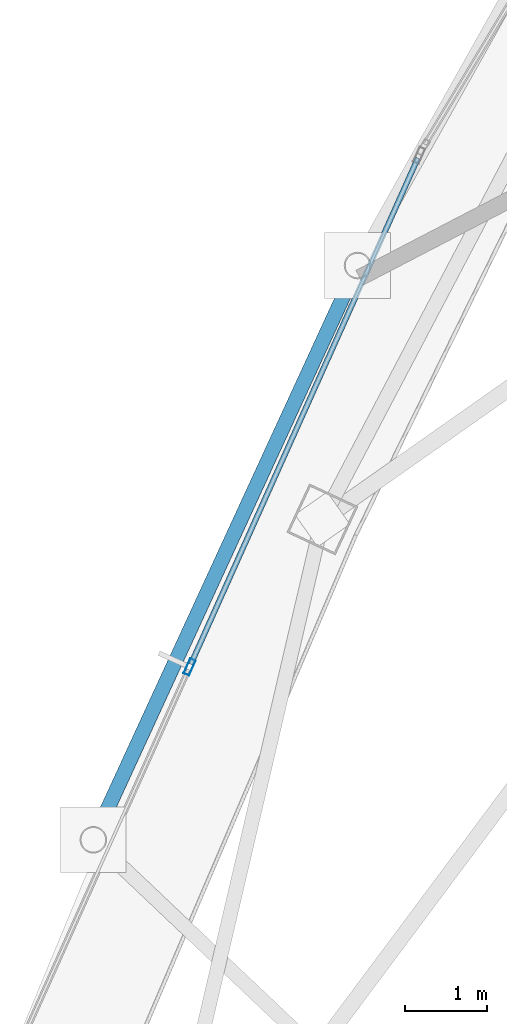
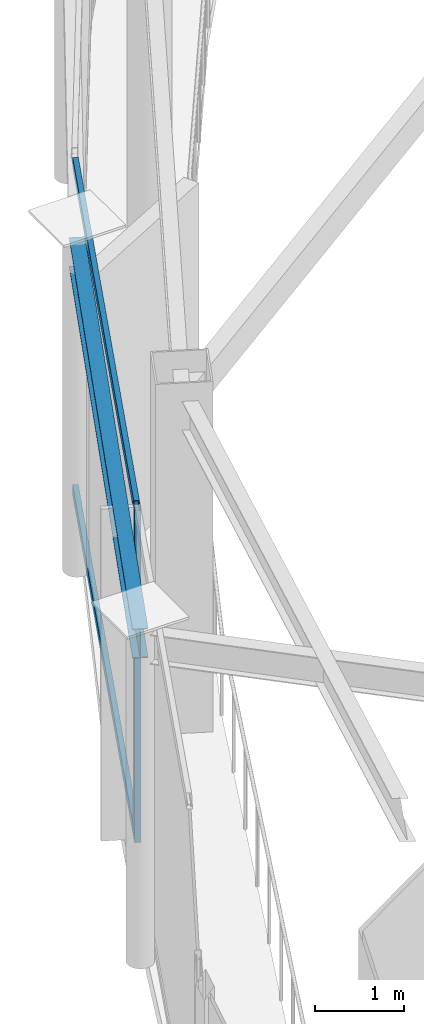
# One storey, part 4 of 20: 3 members, 1 beam, 1 element without a shape of its own.
"""IFC4 building model written with IfcOpenShell, lengths in metres."""

from ifc_helpers import new_model, si_unit, direction, frame, origin, origin_2d, place, context, subcontext, project, spatial, hollow_rectangle, i_section, extrude, material, layer, layer_set, material_profile, profile_set, type_object, element, aggregate, save


model = new_model("IFC4")

# Units and contexts
model_context = context("Model", 3, precision=1e-05, world=origin(), true_north=direction((0.0, 1.0)))
body_context = subcontext(model_context, "Body", "Model", "MODEL_VIEW")
ifc_project = project(units=[si_unit("LENGTHUNIT", "METRE"), si_unit("AREAUNIT", "SQUARE_METRE"), si_unit("VOLUMEUNIT", "CUBIC_METRE"), si_unit("PLANEANGLEUNIT", "RADIAN"), si_unit("MASSUNIT", "GRAM", prefix="KILO")], contexts=[model_context])

# Site, building, storey
site_placement = place(None, origin())
site = spatial("IfcSite", under=ifc_project, at=site_placement, CompositionType="ELEMENT")
building_placement = place(site_placement, origin())
building = spatial("IfcBuilding", under=site, at=building_placement, Name="Orvanel Arch Residences", CompositionType="ELEMENT")
storey_placement = place(building_placement, frame((0.0, 0.0, 300.5)))
storey = spatial("IfcBuildingStorey", under=building, at=storey_placement, Name="L84", CompositionType="ELEMENT", Elevation=300.5)

# Curtain wall, member
ifc_material_1 = material(Name="Bronze-anodised aluminium AA6063-T6", Category="aluminium")
ifc_layer = layer(ifc_material_1, 0.2099609375)
ifc_layer_set = layer_set([ifc_layer], Name="Bronze-anodised aluminium AA6063-T6")
curtain_wall_type = type_object("IfcCurtainWallType", Name="CW7-TOP-SYS", PredefinedType="NOTDEFINED", material=ifc_layer_set)
curtain_wall_placement = place(storey_placement, origin())
curtain_wall = element("IfcCurtainWall", 1, at=curtain_wall_placement, inside=storey, type_object=curtain_wall_type, Name="L84 CW7-TOP-SYS Unitised Curtain Wall", PredefinedType="NOTDEFINED")
ifc_material_profile_1 = material_profile(ifc_material_1, hollow_rectangle(XDim=0.074951171875, YDim=0.199951171875, WallThickness=0.0048828125, at=origin_2d()), Name="ALU200x75x5")
ifc_profile_set_1 = profile_set([ifc_material_profile_1], Name="Bronze-anodised aluminium AA6063-T6")
member_type_1 = type_object("IfcMemberType", Name="MUL-200x75", PredefinedType="MULLION", material=ifc_profile_set_1)
member_1_placement = place(storey_placement, frame((14.75, 17.845947265625, 0.0), z_axis=(0.0, 0.0, 1.0), x_axis=(0.912376147447, -0.40935286193, 0.0)))
member_1 = element("IfcMember", 2, at=member_1_placement, type_object=member_type_1, Name="CW-S7 mullion 2", PredefinedType="MULLION", context=body_context, shape_type="SweptSolid", body=[
    extrude(hollow_rectangle(XDim=0.074951171875, YDim=0.199951171875, WallThickness=0.0048828125, at=origin_2d()), origin(), (0.0, 0.0, 1.0), 4.550048828125),
])

# Beam
ifc_material_2 = material(Name="Structural steel AS/NZS 3679.1 Grade 300 (300 MPa)", Category="steel")
ifc_material_profile_2 = material_profile(ifc_material_2, i_section(OverallWidth=0.177978515625, OverallDepth=0.406005859375, WebThickness=0.0078125, FlangeThickness=0.0126953125, at=origin_2d()), Name="410UB59.7")
ifc_profile_set_2 = profile_set([ifc_material_profile_2], Name="Structural steel AS/NZS 3679.1 Grade 300 (300 MPa)")
beam_type = type_object("IfcBeamType", Name="OB-410UB-EXT", PredefinedType="SPANDREL", material=ifc_profile_set_2)
beam_placement = place(storey_placement, frame((16.794921875, 22.73388671875, 4.346923828125), z_axis=(-0.417937545069, -0.908475761054, 0.0), x_axis=(0.908475761054, -0.417937545069, 0.0)))
element("IfcBeam", 3, at=beam_placement, inside=storey, type_object=beam_type, Name="L84 Outer Perimeter Floor Ring Beam 03", PredefinedType="SPANDREL", context=body_context, shape_type="SweptSolid", body=[
    extrude(i_section(OverallWidth=0.177978515625, OverallDepth=0.406005859375, WebThickness=0.0078125, FlangeThickness=0.0126953125, at=origin_2d()), origin(), (0.0, 0.0, 1.0), 7.697509765625),
])

# Member
ifc_material_profile_3 = material_profile(ifc_material_1, hollow_rectangle(XDim=0.06494140625, YDim=0.14990234375, WallThickness=0.00390625, at=origin_2d()), Name="ALU150x65x4")
ifc_profile_set_3 = profile_set([ifc_material_profile_3], Name="Bronze-anodised aluminium AA6063-T6")
member_type_2 = type_object("IfcMemberType", Name="TRN-150x65", PredefinedType="USERDEFINED", material=ifc_profile_set_3)
member_2_placement = place(storey_placement, frame((17.529296875, 24.04052734375, 0.032470703125), z_axis=(-0.409346580659, -0.912378965618, 0.0), x_axis=(0.912378965618, -0.409346580659, 0.0)))
member_2 = element("IfcMember", 4, at=member_2_placement, type_object=member_type_2, Name="CW-S7 transom 1.1", ObjectType="TRANSOM", PredefinedType="USERDEFINED", context=body_context, shape_type="SweptSolid", body=[
    extrude(hollow_rectangle(XDim=0.06494140625, YDim=0.14990234375, WallThickness=0.00390625, at=origin_2d()), origin(), (0.0, 0.0, 1.0), 6.751953125),
])

member_3_placement = place(storey_placement, frame((17.529296875, 24.04052734375, 4.517578125), z_axis=(-0.409346580659, -0.912378965618, 0.0), x_axis=(0.912378965618, -0.409346580659, 0.0)))
member_3 = element("IfcMember", 5, at=member_3_placement, type_object=member_type_2, Name="CW-S7 transom 1.2", ObjectType="TRANSOM", PredefinedType="USERDEFINED", context=body_context, shape_type="SweptSolid", body=[
    extrude(hollow_rectangle(XDim=0.06494140625, YDim=0.14990234375, WallThickness=0.00390625, at=origin_2d()), origin(), (0.0, 0.0, 1.0), 6.751953125),
])

aggregate(curtain_wall, [member_1, member_2, member_3])

save(model, "model.ifc")
